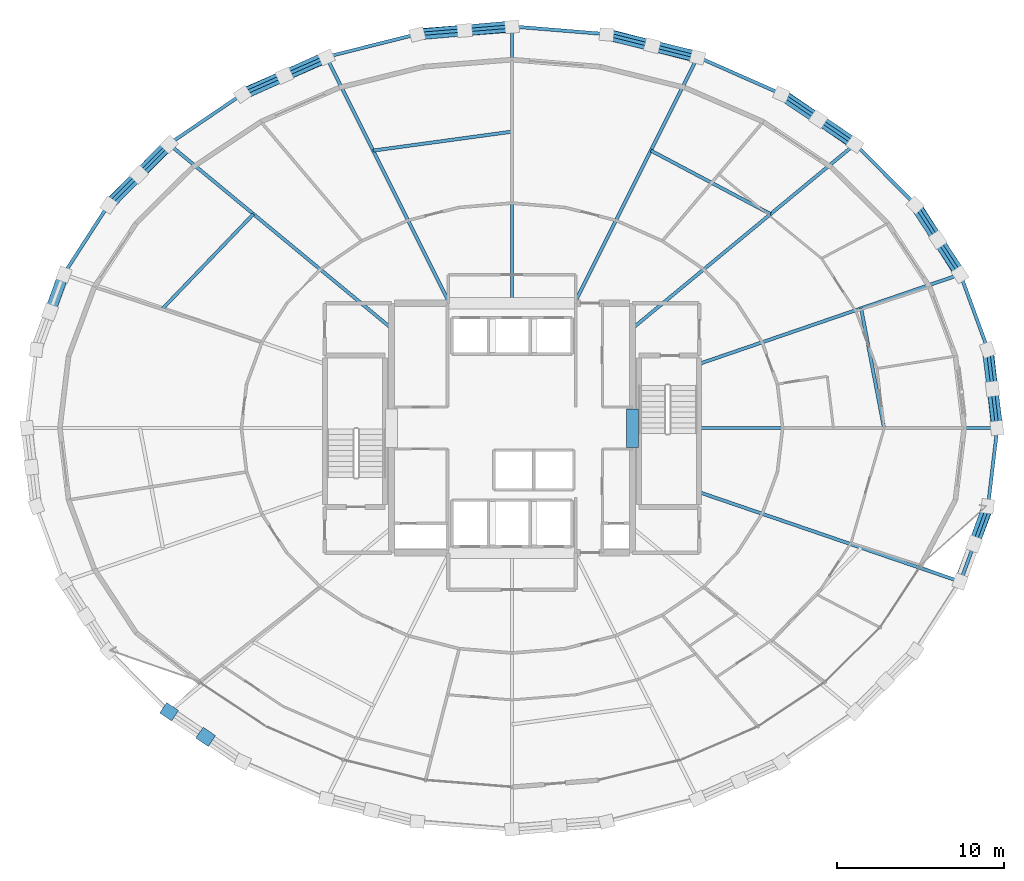
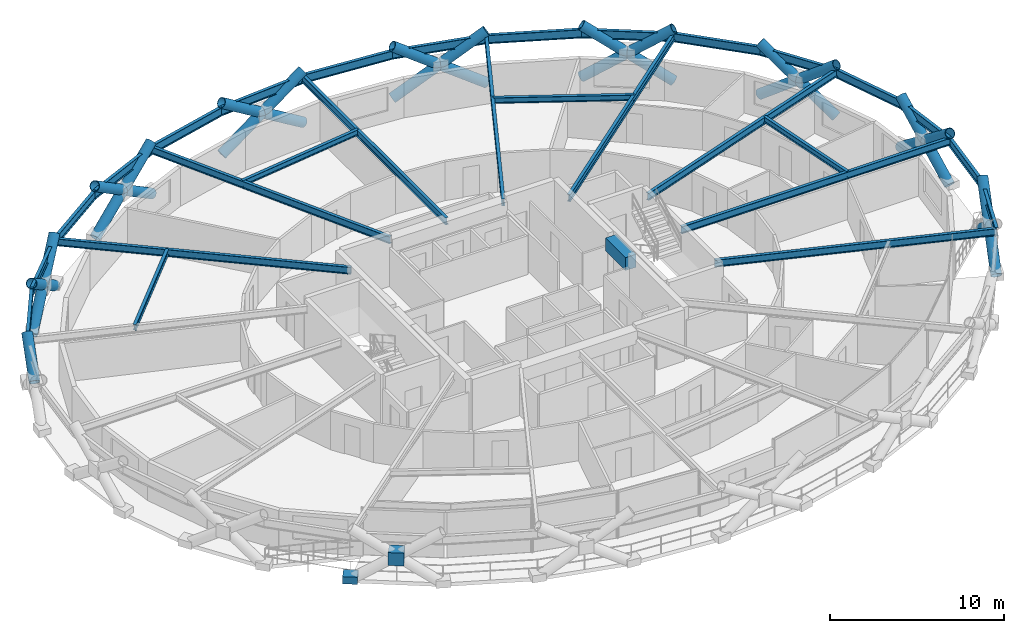
# One storey, part 13 of 21: 29 beams, 24 members, 2 plates.
"""IFC4 building model written with IfcOpenShell, lengths in metres."""

from ifc_helpers import new_model, si_unit, direction, frame, origin, origin_2d, place, context, subcontext, project, spatial, rectangle, hollow_circle, i_section, extrude, material, layer, layer_set, material_profile, profile_set, type_object, element, save


model = new_model("IFC4")

# Units and contexts
model_context = context("Model", 3, precision=1e-05, world=origin(), true_north=direction((0.0, 1.0)))
body_context = subcontext(model_context, "Body", "Model", "MODEL_VIEW")
ifc_project = project(units=[si_unit("LENGTHUNIT", "METRE"), si_unit("AREAUNIT", "SQUARE_METRE"), si_unit("VOLUMEUNIT", "CUBIC_METRE"), si_unit("PLANEANGLEUNIT", "RADIAN"), si_unit("MASSUNIT", "GRAM", prefix="KILO")], contexts=[model_context])

# Site, building, storey
site_placement = place(None, origin())
site = spatial("IfcSite", under=ifc_project, at=site_placement, CompositionType="ELEMENT")
building_placement = place(site_placement, origin())
building = spatial("IfcBuilding", under=site, at=building_placement, Name="Veldorina Hangang Commons", CompositionType="ELEMENT")
storey_placement = place(building_placement, frame((0.0, 0.0, 73.60009765625)))
storey = spatial("IfcBuildingStorey", under=building, at=storey_placement, Name="L18", CompositionType="ELEMENT", Elevation=73.60009765625)

# Beams
ifc_material_1 = material(Name="Concrete C70/85", Category="concrete")
ifc_material_profile_1 = material_profile(ifc_material_1, rectangle(XDim=0.699951171875, YDim=0.89990234375, at=origin_2d()), Name="RC-CB-700x900")
ifc_profile_set_1 = profile_set([ifc_material_profile_1], Name="Concrete C70/85")
beam_type_1 = type_object("IfcBeamType", Name="BM-CB900", PredefinedType="LINTEL", material=ifc_profile_set_1)
beam_1_placement = place(storey_placement, frame((39.199951171875, 22.85009765625, 2.889892578125), z_axis=(0.0, 1.0, 0.0), x_axis=(-1.0, 0.0, 0.0)))
element("IfcBeam", 1, at=beam_1_placement, inside=storey, type_object=beam_type_1, Name="L18 E core coupling lintel beam", PredefinedType="LINTEL", context=body_context, shape_type="SweptSolid", body=[
    extrude(rectangle(XDim=0.699951171875, YDim=0.89990234375, at=origin_2d()), origin(), (0.0, 0.0, 1.0), 2.2998046875),
])
ifc_material_2 = material(Name="Steel SM420-TMC", Category="steel")
ifc_material_profile_2 = material_profile(ifc_material_2, i_section(OverallWidth=0.199951171875, OverallDepth=0.5, WebThickness=0.010009765625, FlangeThickness=0.01611328125, FilletRadius=0.01611328125, at=origin_2d()), Name="H-500x200x10x16")
ifc_profile_set_2 = profile_set([ifc_material_profile_2], Name="Steel SM420-TMC")
beam_type_2 = type_object("IfcBeamType", Name="BM-FG500", PredefinedType="BEAM", material=ifc_profile_set_2)
beam_2_placement = place(storey_placement, frame((43.179931640625, 24.0, 3.08984375), z_axis=(1.0, 0.0, 0.0), x_axis=(0.0, 1.0, 0.0)))
element("IfcBeam", 2, at=beam_2_placement, inside=storey, type_object=beam_type_2, Name="L18 radial floor girder 01", PredefinedType="BEAM", context=body_context, shape_type="SweptSolid", body=[
    extrude(i_section(OverallWidth=0.199951171875, OverallDepth=0.5, WebThickness=0.010009765625, FlangeThickness=0.01611328125, FilletRadius=0.01611328125, at=origin_2d()), origin(), (0.0, 0.0, 1.0), 17.80615234375),
])
beam_3_placement = place(storey_placement, frame((43.179931640625, 27.83203125, 3.08984375), z_axis=(0.945971118528, 0.324250895003, 0.0), x_axis=(-0.324250895003, 0.945971118528, 0.0)))
element("IfcBeam", 3, at=beam_3_placement, inside=storey, type_object=beam_type_2, Name="L18 radial floor girder 02", PredefinedType="BEAM", context=body_context, shape_type="SweptSolid", body=[
    extrude(i_section(OverallWidth=0.199951171875, OverallDepth=0.5, WebThickness=0.010009765625, FlangeThickness=0.01611328125, FilletRadius=0.01611328125, at=origin_2d()), origin(), (0.0, 0.0, 1.0), 16.49072265625),
])
beam_4_placement = place(storey_placement, frame((39.199951171875, 29.9580078125, 3.08984375), z_axis=(0.770429061473, 0.637525733785, 0.0), x_axis=(-0.637525733785, 0.770429061473, 0.0)))
element("IfcBeam", 4, at=beam_4_placement, inside=storey, type_object=beam_type_2, Name="L18 radial floor girder 03", PredefinedType="BEAM", context=body_context, shape_type="SweptSolid", body=[
    extrude(i_section(OverallWidth=0.199951171875, OverallDepth=0.5, WebThickness=0.010009765625, FlangeThickness=0.01611328125, FilletRadius=0.01611328125, at=origin_2d()), origin(), (0.0, 0.0, 1.0), 17.25830078125),
])
beam_5_placement = place(storey_placement, frame((35.72900390625, 31.449951171875, 3.08984375), z_axis=(0.447617223189, 0.894225263289, 0.0), x_axis=(-0.894225263289, 0.447617223189, 0.0)))
element("IfcBeam", 5, at=beam_5_placement, inside=storey, type_object=beam_type_2, Name="L18 radial floor girder 04", PredefinedType="BEAM", context=body_context, shape_type="SweptSolid", body=[
    extrude(i_section(OverallWidth=0.199951171875, OverallDepth=0.5, WebThickness=0.010009765625, FlangeThickness=0.01611328125, FilletRadius=0.01611328125, at=origin_2d()), origin(), (0.0, 0.0, 1.0), 16.450439453125),
])
beam_6_placement = place(storey_placement, frame((32.0, 31.449951171875, 3.08984375), z_axis=(0.0, 1.0, 0.0), x_axis=(-1.0, 0.0, 0.0)))
element("IfcBeam", 6, at=beam_6_placement, inside=storey, type_object=beam_type_2, Name="L18 radial floor girder 05", PredefinedType="BEAM", context=body_context, shape_type="SweptSolid", body=[
    extrude(i_section(OverallWidth=0.199951171875, OverallDepth=0.5, WebThickness=0.010009765625, FlangeThickness=0.01611328125, FilletRadius=0.01611328125, at=origin_2d()), origin(), (0.0, 0.0, 1.0), 16.5361328125),
])
beam_7_placement = place(storey_placement, frame((28.27099609375, 31.449951171875, 3.08984375), z_axis=(-0.447617223189, 0.894225263289, 0.0), x_axis=(-0.894225263289, -0.447617223189, 0.0)))
element("IfcBeam", 7, at=beam_7_placement, inside=storey, type_object=beam_type_2, Name="L18 radial floor girder 06", PredefinedType="BEAM", context=body_context, shape_type="SweptSolid", body=[
    extrude(i_section(OverallWidth=0.199951171875, OverallDepth=0.5, WebThickness=0.010009765625, FlangeThickness=0.01611328125, FilletRadius=0.01611328125, at=origin_2d()), origin(), (0.0, 0.0, 1.0), 16.450439453125),
])
beam_8_placement = place(storey_placement, frame((24.800048828125, 29.9580078125, 3.08984375), z_axis=(-0.770429061473, 0.637525733785, 0.0), x_axis=(-0.637525733785, -0.770429061473, 0.0)))
element("IfcBeam", 8, at=beam_8_placement, inside=storey, type_object=beam_type_2, Name="L18 radial floor girder 07", PredefinedType="BEAM", context=body_context, shape_type="SweptSolid", body=[
    extrude(i_section(OverallWidth=0.199951171875, OverallDepth=0.5, WebThickness=0.010009765625, FlangeThickness=0.01611328125, FilletRadius=0.01611328125, at=origin_2d()), origin(), (0.0, 0.0, 1.0), 17.25830078125),
])
beam_9_placement = place(storey_placement, frame((43.179931640625, 20.16796875, 3.08984375), z_axis=(0.945971118528, -0.324250895003, 0.0), x_axis=(0.324250895003, 0.945971118528, 0.0)))
element("IfcBeam", 9, at=beam_9_placement, inside=storey, type_object=beam_type_2, Name="L18 radial floor girder 16", PredefinedType="BEAM", context=body_context, shape_type="SweptSolid", body=[
    extrude(i_section(OverallWidth=0.199951171875, OverallDepth=0.5, WebThickness=0.010009765625, FlangeThickness=0.01611328125, FilletRadius=0.01611328125, at=origin_2d()), origin(), (0.0, 0.0, 1.0), 16.49072265625),
])
ifc_material_3 = material(Name="Steel SM355-TMC", Category="steel")
ifc_material_profile_3 = material_profile(ifc_material_3, i_section(OverallWidth=0.199951171875, OverallDepth=0.39990234375, WebThickness=0.008056640625, FlangeThickness=0.012939453125, FilletRadius=0.012939453125, at=origin_2d()), Name="H-400x200x8x13")
ifc_profile_set_3 = profile_set([ifc_material_profile_3], Name="Steel SM355-TMC")
beam_type_3 = type_object("IfcBeamType", Name="BM-JST400", PredefinedType="JOIST", material=ifc_profile_set_3)
beam_10_placement = place(storey_placement, frame((54.2197265625, 24.0, 3.139892578125), z_axis=(-0.187980000451, 0.982172856187, 0.0), x_axis=(-0.982172856187, -0.187980000451, 0.0)))
element("IfcBeam", 10, at=beam_10_placement, inside=storey, type_object=beam_type_3, Name="L18 secondary floor joist 01", PredefinedType="JOIST", context=body_context, shape_type="SweptSolid", body=[
    extrude(i_section(OverallWidth=0.199951171875, OverallDepth=0.39990234375, WebThickness=0.008056640625, FlangeThickness=0.012939453125, FilletRadius=0.012939453125, at=origin_2d()), origin(), (0.0, 0.0, 1.0), 7.27685546875),
])
beam_11_placement = place(storey_placement, frame((47.443603515625, 36.77978515625, 3.139892578125), z_axis=(-0.883497860339, 0.468435193785, 0.0), x_axis=(-0.468435193785, -0.883497860339, 0.0)))
element("IfcBeam", 11, at=beam_11_placement, inside=storey, type_object=beam_type_3, Name="L18 secondary floor joist 03", PredefinedType="JOIST", context=body_context, shape_type="SweptSolid", body=[
    extrude(i_section(OverallWidth=0.199951171875, OverallDepth=0.39990234375, WebThickness=0.008056640625, FlangeThickness=0.012939453125, FilletRadius=0.012939453125, at=origin_2d()), origin(), (0.0, 0.0, 1.0), 8.091796875),
])
beam_12_placement = place(storey_placement, frame((32.0, 41.702392578125, 3.139892578125), z_axis=(-0.990813833767, -0.135232935397, 0.0), x_axis=(0.135232935397, -0.990813833767, 0.0)))
element("IfcBeam", 12, at=beam_12_placement, inside=storey, type_object=beam_type_3, Name="L18 secondary floor joist 05", PredefinedType="JOIST", context=body_context, shape_type="SweptSolid", body=[
    extrude(i_section(OverallWidth=0.199951171875, OverallDepth=0.39990234375, WebThickness=0.008056640625, FlangeThickness=0.012939453125, FilletRadius=0.012939453125, at=origin_2d()), origin(), (0.0, 0.0, 1.0), 8.371337890625),
])
beam_13_placement = place(storey_placement, frame((16.556396484375, 36.77978515625, 3.139892578125), z_axis=(-0.692594304612, -0.721327338466, 0.0), x_axis=(0.721327338466, -0.692594304612, 0.0)))
element("IfcBeam", 13, at=beam_13_placement, inside=storey, type_object=beam_type_3, Name="L18 secondary floor joist 07", PredefinedType="JOIST", context=body_context, shape_type="SweptSolid", body=[
    extrude(i_section(OverallWidth=0.199951171875, OverallDepth=0.39990234375, WebThickness=0.008056640625, FlangeThickness=0.012939453125, FilletRadius=0.012939453125, at=origin_2d()), origin(), (0.0, 0.0, 1.0), 7.80859375),
])
ifc_material_profile_4 = material_profile(ifc_material_2, i_section(OverallWidth=0.199951171875, OverallDepth=0.60009765625, WebThickness=0.010986328125, FlangeThickness=0.01708984375, FilletRadius=0.01806640625, at=origin_2d()), Name="H-600x200x11x17")
ifc_profile_set_4 = profile_set([ifc_material_profile_4], Name="Steel SM420-TMC")
beam_type_4 = type_object("IfcBeamType", Name="BM-RB600", PredefinedType="BEAM", material=ifc_profile_set_4)
beam_14_placement = place(storey_placement, frame((60.986083984375, 24.0, 3.039794921875), z_axis=(-0.118172752684, 0.992993051599, 0.0), x_axis=(-0.992993051599, -0.118172752684, 0.0)))
element("IfcBeam", 14, at=beam_14_placement, inside=storey, type_object=beam_type_4, Name="L18 perimeter hoop ring beam 00", PredefinedType="BEAM", context=body_context, shape_type="SweptSolid", body=[
    extrude(i_section(OverallWidth=0.199951171875, OverallDepth=0.60009765625, WebThickness=0.010986328125, FlangeThickness=0.01708984375, FilletRadius=0.01806640625, at=origin_2d()), origin(), (0.0, 0.0, 1.0), 4.71240234375),
])
beam_15_placement = place(storey_placement, frame((60.42919921875, 28.679443359375, 3.039794921875), z_axis=(-0.34416334132, 0.93890979039, 0.0), x_axis=(-0.93890979039, -0.34416334132, 0.0)))
element("IfcBeam", 15, at=beam_15_placement, inside=storey, type_object=beam_type_4, Name="L18 perimeter hoop ring beam 01", PredefinedType="BEAM", context=body_context, shape_type="SweptSolid", body=[
    extrude(i_section(OverallWidth=0.199951171875, OverallDepth=0.60009765625, WebThickness=0.010986328125, FlangeThickness=0.01708984375, FilletRadius=0.01806640625, at=origin_2d()), origin(), (0.0, 0.0, 1.0), 4.79248046875),
])
beam_16_placement = place(storey_placement, frame((58.77978515625, 33.17919921875, 3.039794921875), z_axis=(-0.542555966662, 0.840019656341, 0.0), x_axis=(-0.840019656341, -0.542555966662, 0.0)))
element("IfcBeam", 16, at=beam_16_placement, inside=storey, type_object=beam_type_4, Name="L18 perimeter hoop ring beam 02", PredefinedType="BEAM", context=body_context, shape_type="SweptSolid", body=[
    extrude(i_section(OverallWidth=0.199951171875, OverallDepth=0.60009765625, WebThickness=0.010986328125, FlangeThickness=0.01708984375, FilletRadius=0.01806640625, at=origin_2d()), origin(), (0.0, 0.0, 1.0), 4.936767578125),
])
beam_17_placement = place(storey_placement, frame((56.101318359375, 37.326171875, 3.039794921875), z_axis=(-0.704215546876, 0.709986241795, 0.0), x_axis=(-0.709986241795, -0.704215546876, 0.0)))
element("IfcBeam", 17, at=beam_17_placement, inside=storey, type_object=beam_type_4, Name="L18 perimeter hoop ring beam 03", PredefinedType="BEAM", context=body_context, shape_type="SweptSolid", body=[
    extrude(i_section(OverallWidth=0.199951171875, OverallDepth=0.60009765625, WebThickness=0.010986328125, FlangeThickness=0.01708984375, FilletRadius=0.01806640625, at=origin_2d()), origin(), (0.0, 0.0, 1.0), 5.119140625),
])
beam_18_placement = place(storey_placement, frame((52.496337890625, 40.960693359375, 3.039794921875), z_axis=(-0.827244514098, 0.561842072023, 0.0), x_axis=(-0.561842072023, -0.827244514098, 0.0)))
element("IfcBeam", 18, at=beam_18_placement, inside=storey, type_object=beam_type_4, Name="L18 perimeter hoop ring beam 04", PredefinedType="BEAM", context=body_context, shape_type="SweptSolid", body=[
    extrude(i_section(OverallWidth=0.199951171875, OverallDepth=0.60009765625, WebThickness=0.010986328125, FlangeThickness=0.01708984375, FilletRadius=0.01806640625, at=origin_2d()), origin(), (0.0, 0.0, 1.0), 5.3095703125),
])
beam_19_placement = place(storey_placement, frame((48.10400390625, 43.94384765625, 3.039794921875), z_axis=(-0.91453945814, 0.404496699004, 0.0), x_axis=(-0.404496699004, -0.91453945814, 0.0)))
element("IfcBeam", 19, at=beam_19_placement, inside=storey, type_object=beam_type_4, Name="L18 perimeter hoop ring beam 05", PredefinedType="BEAM", context=body_context, shape_type="SweptSolid", body=[
    extrude(i_section(OverallWidth=0.199951171875, OverallDepth=0.60009765625, WebThickness=0.010986328125, FlangeThickness=0.01708984375, FilletRadius=0.01806640625, at=origin_2d()), origin(), (0.0, 0.0, 1.0), 5.479736328125),
])
beam_20_placement = place(storey_placement, frame((43.092529296875, 46.160400390625, 3.039794921875), z_axis=(-0.969908950764, 0.243467918274, 0.0), x_axis=(-0.243467918274, -0.969908950764, 0.0)))
element("IfcBeam", 20, at=beam_20_placement, inside=storey, type_object=beam_type_4, Name="L18 perimeter hoop ring beam 06", PredefinedType="BEAM", context=body_context, shape_type="SweptSolid", body=[
    extrude(i_section(OverallWidth=0.199951171875, OverallDepth=0.60009765625, WebThickness=0.010986328125, FlangeThickness=0.01708984375, FilletRadius=0.01806640625, at=origin_2d()), origin(), (0.0, 0.0, 1.0), 5.6064453125),
])
for number, where, z_axis, x_axis, name in (
    (21, (37.65478515625, 47.525390625, 3.039794921875), (-0.996697777509, 0.081200617657, 0.0), (-0.081200617657, -0.996697777509, 0.0), "L18 perimeter hoop ring beam 07"),
    (22, (32.0, 47.986083984375, 3.039794921875), (-0.996697777509, -0.081200617657, 0.0), (0.081200617657, -0.996697777509, 0.0), "L18 perimeter hoop ring beam 08"),
):
    element("IfcBeam", number, at=place(storey_placement, frame(where, z_axis=z_axis, x_axis=x_axis)), inside=storey, type_object=beam_type_4, Name=name, PredefinedType="BEAM", context=body_context, shape_type="SweptSolid", body=[
        extrude(i_section(OverallWidth=0.199951171875, OverallDepth=0.60009765625, WebThickness=0.010986328125, FlangeThickness=0.01708984375, FilletRadius=0.01806640625, at=origin_2d()), origin(), (0.0, 0.0, 1.0), 5.673583984375),
    ])
beam_21_placement = place(storey_placement, frame((26.34521484375, 47.525390625, 3.039794921875), z_axis=(-0.969908950764, -0.243467918274, 0.0), x_axis=(0.243467918274, -0.969908950764, 0.0)))
element("IfcBeam", 23, at=beam_21_placement, inside=storey, type_object=beam_type_4, Name="L18 perimeter hoop ring beam 09", PredefinedType="BEAM", context=body_context, shape_type="SweptSolid", body=[
    extrude(i_section(OverallWidth=0.199951171875, OverallDepth=0.60009765625, WebThickness=0.010986328125, FlangeThickness=0.01708984375, FilletRadius=0.01806640625, at=origin_2d()), origin(), (0.0, 0.0, 1.0), 5.6064453125),
])
beam_22_placement = place(storey_placement, frame((20.907470703125, 46.160400390625, 3.039794921875), z_axis=(-0.91453945814, -0.404496699004, 0.0), x_axis=(0.404496699004, -0.91453945814, 0.0)))
element("IfcBeam", 24, at=beam_22_placement, inside=storey, type_object=beam_type_4, Name="L18 perimeter hoop ring beam 10", PredefinedType="BEAM", context=body_context, shape_type="SweptSolid", body=[
    extrude(i_section(OverallWidth=0.199951171875, OverallDepth=0.60009765625, WebThickness=0.010986328125, FlangeThickness=0.01708984375, FilletRadius=0.01806640625, at=origin_2d()), origin(), (0.0, 0.0, 1.0), 5.479736328125),
])
beam_23_placement = place(storey_placement, frame((15.89599609375, 43.94384765625, 3.039794921875), z_axis=(-0.827244514098, -0.561842072023, 0.0), x_axis=(0.561842072023, -0.827244514098, 0.0)))
element("IfcBeam", 25, at=beam_23_placement, inside=storey, type_object=beam_type_4, Name="L18 perimeter hoop ring beam 11", PredefinedType="BEAM", context=body_context, shape_type="SweptSolid", body=[
    extrude(i_section(OverallWidth=0.199951171875, OverallDepth=0.60009765625, WebThickness=0.010986328125, FlangeThickness=0.01708984375, FilletRadius=0.01806640625, at=origin_2d()), origin(), (0.0, 0.0, 1.0), 5.3095703125),
])
beam_24_placement = place(storey_placement, frame((11.503662109375, 40.960693359375, 3.039794921875), z_axis=(-0.704215546876, -0.709986241795, 0.0), x_axis=(0.709986241795, -0.704215546876, 0.0)))
element("IfcBeam", 26, at=beam_24_placement, inside=storey, type_object=beam_type_4, Name="L18 perimeter hoop ring beam 12", PredefinedType="BEAM", context=body_context, shape_type="SweptSolid", body=[
    extrude(i_section(OverallWidth=0.199951171875, OverallDepth=0.60009765625, WebThickness=0.010986328125, FlangeThickness=0.01708984375, FilletRadius=0.01806640625, at=origin_2d()), origin(), (0.0, 0.0, 1.0), 5.119140625),
])
beam_25_placement = place(storey_placement, frame((7.898681640625, 37.326171875, 3.039794921875), z_axis=(-0.542555966662, -0.840019656341, 0.0), x_axis=(0.840019656341, -0.542555966662, 0.0)))
element("IfcBeam", 27, at=beam_25_placement, inside=storey, type_object=beam_type_4, Name="L18 perimeter hoop ring beam 13", PredefinedType="BEAM", context=body_context, shape_type="SweptSolid", body=[
    extrude(i_section(OverallWidth=0.199951171875, OverallDepth=0.60009765625, WebThickness=0.010986328125, FlangeThickness=0.01708984375, FilletRadius=0.01806640625, at=origin_2d()), origin(), (0.0, 0.0, 1.0), 4.936767578125),
])
beam_26_placement = place(storey_placement, frame((58.77978515625, 14.82080078125, 3.039794921875), z_axis=(0.34416334132, 0.93890979039, 0.0), x_axis=(-0.93890979039, 0.34416334132, 0.0)))
element("IfcBeam", 28, at=beam_26_placement, inside=storey, type_object=beam_type_4, Name="L18 perimeter hoop ring beam 30", PredefinedType="BEAM", context=body_context, shape_type="SweptSolid", body=[
    extrude(i_section(OverallWidth=0.199951171875, OverallDepth=0.60009765625, WebThickness=0.010986328125, FlangeThickness=0.01708984375, FilletRadius=0.01806640625, at=origin_2d()), origin(), (0.0, 0.0, 1.0), 4.79248046875),
])
beam_27_placement = place(storey_placement, frame((60.42919921875, 19.320556640625, 3.039794921875), z_axis=(0.118172752684, 0.992993051599, 0.0), x_axis=(-0.992993051599, 0.118172752684, 0.0)))
element("IfcBeam", 29, at=beam_27_placement, inside=storey, type_object=beam_type_4, Name="L18 perimeter hoop ring beam 31", PredefinedType="BEAM", context=body_context, shape_type="SweptSolid", body=[
    extrude(i_section(OverallWidth=0.199951171875, OverallDepth=0.60009765625, WebThickness=0.010986328125, FlangeThickness=0.01708984375, FilletRadius=0.01806640625, at=origin_2d()), origin(), (0.0, 0.0, 1.0), 4.71240234375),
])

# Members
ifc_material_4 = material(Name="Steel SM460-TMC", Category="steel")
ifc_material_profile_5 = material_profile(ifc_material_4, hollow_circle(Radius=0.324951171875, WallThickness=0.031982421875, at=origin_2d()), Name="CHS-650x32")
ifc_profile_set_5 = profile_set([ifc_material_profile_5], Name="Steel SM460-TMC")
member_type = type_object("IfcMemberType", Name="DG-CHS650", PredefinedType="BRACE", material=ifc_profile_set_5)
member_1_placement = place(storey_placement, frame((60.96240234375, 24.0, 0.0), z_axis=(-0.089200493831, 0.789502616448, 0.607230508556), x_axis=(-0.993677867176, -0.112268857144, 0.0)))
element("IfcMember", 30, at=member_1_placement, inside=storey, type_object=member_type, Name="L18 continuous perimeter diagrid brace 00", PredefinedType="BRACE", context=body_context, shape_type="SweptSolid", body=[
    extrude(hollow_circle(Radius=0.324951171875, WallThickness=0.031982421875, at=origin_2d()), origin(), (0.0, 0.0, 1.0), 5.92822265625),
])
member_2_placement = place(storey_placement, frame((60.406005859375, 28.6748046875, 0.0), z_axis=(0.098637405735, -0.788440015101, 0.60715155009), x_axis=(0.992265107566, 0.124136845083, 0.0)))
element("IfcMember", 31, at=member_2_placement, inside=storey, type_object=member_type, Name="L18 split perimeter diagrid lower brace 01", PredefinedType="BRACE", context=body_context, shape_type="SweptSolid", body=[
    extrude(hollow_circle(Radius=0.324951171875, WallThickness=0.031982421875, at=origin_2d()), origin(), (0.0, 0.0, 1.0), 2.962646484375),
])
member_3_placement = place(storey_placement, frame((60.6982421875, 26.3388671875, 1.798828125), z_axis=(0.098516236867, -0.788459105418, 0.60714643222), x_axis=(0.992284249479, 0.123983741819, 0.0)))
element("IfcMember", 32, at=member_3_placement, inside=storey, type_object=member_type, Name="L18 split perimeter diagrid upper brace 01", PredefinedType="BRACE", context=body_context, shape_type="SweptSolid", body=[
    extrude(hollow_circle(Radius=0.324951171875, WallThickness=0.031982421875, at=origin_2d()), origin(), (0.0, 0.0, 1.0), 2.96630859375),
])
member_4_placement = place(storey_placement, frame((58.7578125, 33.169921875, 0.0), z_axis=(-0.434449326939, 0.680998420454, 0.5894870089), x_axis=(-0.843051606963, -0.53783267658, 0.0)))
element("IfcMember", 33, at=member_4_placement, inside=storey, type_object=member_type, Name="L18 continuous perimeter diagrid brace 02", PredefinedType="BRACE", context=body_context, shape_type="SweptSolid", body=[
    extrude(hollow_circle(Radius=0.324951171875, WallThickness=0.031982421875, at=origin_2d()), origin(), (0.0, 0.0, 1.0), 6.106689453125),
])
member_5_placement = place(storey_placement, frame((56.081298828125, 37.312744140625, 0.0), z_axis=(0.442331749181, -0.676211063418, 0.589135995656), x_axis=(0.8368597728, 0.547417318568, 0.0)))
element("IfcMember", 34, at=member_5_placement, inside=storey, type_object=member_type, Name="L18 split perimeter diagrid lower brace 03", PredefinedType="BRACE", context=body_context, shape_type="SweptSolid", body=[
    extrude(hollow_circle(Radius=0.324951171875, WallThickness=0.031982421875, at=origin_2d()), origin(), (0.0, 0.0, 1.0), 3.05322265625),
])
member_6_placement = place(storey_placement, frame((57.431884765625, 35.248046875, 1.798828125), z_axis=(0.442226742182, -0.676238726035, 0.589183073339), x_axis=(0.836929561154, 0.547310615343, 0.0)))
element("IfcMember", 35, at=member_6_placement, inside=storey, type_object=member_type, Name="L18 split perimeter diagrid upper brace 03", PredefinedType="BRACE", context=body_context, shape_type="SweptSolid", body=[
    extrude(hollow_circle(Radius=0.324951171875, WallThickness=0.031982421875, at=origin_2d()), origin(), (0.0, 0.0, 1.0), 3.056884765625),
])
member_7_placement = place(storey_placement, frame((52.4794921875, 40.944091796875, 0.0), z_axis=(-0.682119266915, 0.468454821727, 0.561483201622), x_axis=(-0.566116662781, -0.824325132531, 0.0)))
element("IfcMember", 36, at=member_7_placement, inside=storey, type_object=member_type, Name="L18 continuous perimeter diagrid brace 04", PredefinedType="BRACE", context=body_context, shape_type="SweptSolid", body=[
    extrude(hollow_circle(Radius=0.324951171875, WallThickness=0.031982421875, at=origin_2d()), origin(), (0.0, 0.0, 1.0), 6.411376953125),
])
member_8_placement = place(storey_placement, frame((48.090576171875, 43.924072265625, 0.0), z_axis=(0.687247081126, -0.461312223542, 0.5611439048), x_axis=(0.557330006813, 0.830291071556, 0.0)))
element("IfcMember", 37, at=member_8_placement, inside=storey, type_object=member_type, Name="L18 split perimeter diagrid lower brace 05", PredefinedType="BRACE", context=body_context, shape_type="SweptSolid", body=[
    extrude(hollow_circle(Radius=0.324951171875, WallThickness=0.031982421875, at=origin_2d()), origin(), (0.0, 0.0, 1.0), 3.2060546875),
])
member_9_placement = place(storey_placement, frame((50.2939453125, 42.445068359375, 1.799072265625), z_axis=(0.687185938457, -0.461496246249, 0.561067465359), x_axis=(0.557517430782, 0.830165233176, 0.0)))
element("IfcMember", 38, at=member_9_placement, inside=storey, type_object=member_type, Name="L18 split perimeter diagrid upper brace 05", PredefinedType="BRACE", context=body_context, shape_type="SweptSolid", body=[
    extrude(hollow_circle(Radius=0.324951171875, WallThickness=0.031982421875, at=origin_2d()), origin(), (0.0, 0.0, 1.0), 3.20947265625),
])
member_10_placement = place(storey_placement, frame((43.08349609375, 46.138427734375, 0.0), z_axis=(-0.814985770488, 0.208878594829, 0.540525602098), x_axis=(-0.248272614908, -0.968690202638, 0.0)))
element("IfcMember", 39, at=member_10_placement, inside=storey, type_object=member_type, Name="L18 continuous perimeter diagrid brace 06", PredefinedType="BRACE", context=body_context, shape_type="SweptSolid", body=[
    extrude(hollow_circle(Radius=0.324951171875, WallThickness=0.031982421875, at=origin_2d()), origin(), (0.0, 0.0, 1.0), 6.659912109375),
])
member_11_placement = place(storey_placement, frame((37.650390625, 47.501953125, 0.0), z_axis=(0.817132755302, -0.200708278853, 0.540379724834), x_axis=(0.23853482922, 0.971133943001, 0.0)))
element("IfcMember", 40, at=member_11_placement, inside=storey, type_object=member_type, Name="L18 split perimeter diagrid lower brace 07", PredefinedType="BRACE", context=body_context, shape_type="SweptSolid", body=[
    extrude(hollow_circle(Radius=0.324951171875, WallThickness=0.031982421875, at=origin_2d()), origin(), (0.0, 0.0, 1.0), 3.329345703125),
])
member_12_placement = place(storey_placement, frame((40.370849609375, 46.833740234375, 1.799072265625), z_axis=(0.817138353036, -0.20086000574, 0.540314880502), x_axis=(0.238703338211, 0.971092537469, 0.0)))
element("IfcMember", 41, at=member_12_placement, inside=storey, type_object=member_type, Name="L18 split perimeter diagrid upper brace 07", PredefinedType="BRACE", context=body_context, shape_type="SweptSolid", body=[
    extrude(hollow_circle(Radius=0.324951171875, WallThickness=0.031982421875, at=origin_2d()), origin(), (0.0, 0.0, 1.0), 3.332763671875),
])
member_13_placement = place(storey_placement, frame((32.0, 47.96240234375, 0.0), z_axis=(-0.841859096316, -0.064431329438, 0.5358375367), x_axis=(0.076311404263, -0.997084033359, 0.0)))
element("IfcMember", 42, at=member_13_placement, inside=storey, type_object=member_type, Name="L18 continuous perimeter diagrid brace 08", PredefinedType="BRACE", context=body_context, shape_type="SweptSolid", body=[
    extrude(hollow_circle(Radius=0.324951171875, WallThickness=0.031982421875, at=origin_2d()), origin(), (0.0, 0.0, 1.0), 6.71826171875),
])
member_14_placement = place(storey_placement, frame((26.349609375, 47.501953125, 0.0), z_axis=(0.841158174319, 0.072720513039, 0.535877460582), x_axis=(-0.086131561501, 0.996283771881, 0.0)))
element("IfcMember", 43, at=member_14_placement, inside=storey, type_object=member_type, Name="L18 split perimeter diagrid lower brace 09", PredefinedType="BRACE", context=body_context, shape_type="SweptSolid", body=[
    extrude(hollow_circle(Radius=0.324951171875, WallThickness=0.031982421875, at=origin_2d()), origin(), (0.0, 0.0, 1.0), 3.357177734375),
])
member_15_placement = place(storey_placement, frame((29.173583984375, 47.74609375, 1.799072265625), z_axis=(0.841136962212, 0.072728521998, 0.535909668591), x_axis=(-0.086143133296, 0.996282771399, 0.0)))
element("IfcMember", 44, at=member_15_placement, inside=storey, type_object=member_type, Name="L18 split perimeter diagrid upper brace 09", PredefinedType="BRACE", context=body_context, shape_type="SweptSolid", body=[
    extrude(hollow_circle(Radius=0.324951171875, WallThickness=0.031982421875, at=origin_2d()), origin(), (0.0, 0.0, 1.0), 3.3603515625),
])
member_16_placement = place(storey_placement, frame((20.91650390625, 46.138427734375, 0.0), z_axis=(-0.766074422379, -0.334163800439, 0.549057860204), x_axis=(0.399820604061, -0.916593412898, 0.0)))
element("IfcMember", 45, at=member_16_placement, inside=storey, type_object=member_type, Name="L18 continuous perimeter diagrid brace 10", PredefinedType="BRACE", context=body_context, shape_type="SweptSolid", body=[
    extrude(hollow_circle(Radius=0.324951171875, WallThickness=0.031982421875, at=origin_2d()), origin(), (0.0, 0.0, 1.0), 6.556396484375),
])
member_17_placement = place(storey_placement, frame((15.909423828125, 43.924072265625, 0.0), z_axis=(0.762484890246, 0.341806142137, 0.549349937057), x_axis=(-0.409058465758, 0.912508176178, 0.0)))
element("IfcMember", 46, at=member_17_placement, inside=storey, type_object=member_type, Name="L18 split perimeter diagrid lower brace 11", PredefinedType="BRACE", context=body_context, shape_type="SweptSolid", body=[
    extrude(hollow_circle(Radius=0.324951171875, WallThickness=0.031982421875, at=origin_2d()), origin(), (0.0, 0.0, 1.0), 3.27490234375),
])
member_18_placement = place(storey_placement, frame((18.406494140625, 45.04345703125, 1.799072265625), z_axis=(0.762430642787, 0.341928209538, 0.54934926455), x_axis=(-0.409204334102, 0.912442772426, 0.0)))
element("IfcMember", 47, at=member_18_placement, inside=storey, type_object=member_type, Name="L18 split perimeter diagrid upper brace 11", PredefinedType="BRACE", context=body_context, shape_type="SweptSolid", body=[
    extrude(hollow_circle(Radius=0.324951171875, WallThickness=0.031982421875, at=origin_2d()), origin(), (0.0, 0.0, 1.0), 3.278076171875),
])
member_19_placement = place(storey_placement, frame((11.5205078125, 40.944091796875, 0.0), z_axis=(-0.579220204613, -0.57765991044, 0.575163439762), x_axis=(0.706152457931, -0.708059818206, 0.0)))
element("IfcMember", 48, at=member_19_placement, inside=storey, type_object=member_type, Name="L18 continuous perimeter diagrid brace 12", PredefinedType="BRACE", context=body_context, shape_type="SweptSolid", body=[
    extrude(hollow_circle(Radius=0.324951171875, WallThickness=0.031982421875, at=origin_2d()), origin(), (0.0, 0.0, 1.0), 6.2587890625),
])
member_20_placement = place(storey_placement, frame((7.918701171875, 37.312744140625, 0.0), z_axis=(0.572722709753, 0.583736608017, 0.575534768884), x_axis=(-0.713808759938, 0.700340670128, 0.0)))
element("IfcMember", 49, at=member_20_placement, inside=storey, type_object=member_type, Name="L18 split perimeter diagrid lower brace 13", PredefinedType="BRACE", context=body_context, shape_type="SweptSolid", body=[
    extrude(hollow_circle(Radius=0.324951171875, WallThickness=0.031982421875, at=origin_2d()), origin(), (0.0, 0.0, 1.0), 3.12548828125),
])
member_21_placement = place(storey_placement, frame((9.708740234375, 39.13720703125, 1.798828125), z_axis=(0.572623493314, 0.583781029701, 0.575588433054), x_axis=(-0.713896052406, 0.700251687866, 0.0)))
element("IfcMember", 50, at=member_21_placement, inside=storey, type_object=member_type, Name="L18 split perimeter diagrid upper brace 13", PredefinedType="BRACE", context=body_context, shape_type="SweptSolid", body=[
    extrude(hollow_circle(Radius=0.324951171875, WallThickness=0.031982421875, at=origin_2d()), origin(), (0.0, 0.0, 1.0), 3.12890625),
])
member_22_placement = place(storey_placement, frame((4.40478515625, 30.926513671875, 1.798828125), z_axis=(0.270740185494, 0.752110370893, 0.600857505532), x_axis=(-0.940895205262, 0.338697819178, 0.0)))
element("IfcMember", 51, at=member_22_placement, inside=storey, type_object=member_type, Name="L18 split perimeter diagrid upper brace 15", PredefinedType="BRACE", context=body_context, shape_type="SweptSolid", body=[
    extrude(hollow_circle(Radius=0.324951171875, WallThickness=0.031982421875, at=origin_2d()), origin(), (0.0, 0.0, 1.0), 2.997314453125),
])
member_23_placement = place(storey_placement, frame((58.7578125, 14.830078125, 0.0), z_axis=(0.279596763873, 0.74905374284, 0.600619796518), x_axis=(-0.936861990441, 0.349699314937, 0.0)))
element("IfcMember", 52, at=member_23_placement, inside=storey, type_object=member_type, Name="L18 continuous perimeter diagrid brace 30", PredefinedType="BRACE", context=body_context, shape_type="SweptSolid", body=[
    extrude(hollow_circle(Radius=0.324951171875, WallThickness=0.031982421875, at=origin_2d()), origin(), (0.0, 0.0, 1.0), 5.99365234375),
])
member_24_placement = place(storey_placement, frame((60.406005859375, 19.3251953125, 0.0), z_axis=(-0.270815523603, -0.752102250585, 0.600833718129), x_axis=(0.940864001587, -0.338784489783, 0.0)))
element("IfcMember", 53, at=member_24_placement, inside=storey, type_object=member_type, Name="L18 split perimeter diagrid lower brace 31", PredefinedType="BRACE", context=body_context, shape_type="SweptSolid", body=[
    extrude(hollow_circle(Radius=0.324951171875, WallThickness=0.031982421875, at=origin_2d()), origin(), (0.0, 0.0, 1.0), 2.993896484375),
])

# Plates
ifc_layer = layer(ifc_material_4, 0.035888671875)
ifc_layer_set = layer_set([ifc_layer], Name="Steel SM460-TMC")
plate_type = type_object("IfcPlateType", Name="PL-STAR-36", PredefinedType="USERDEFINED", material=ifc_layer_set)
plate_1_placement = place(storey_placement, frame((11.5205078125, 7.055908203125, -0.090087890625), z_axis=(0.0, 0.0, 1.0), x_axis=(0.827315946643, -0.56173688185, 0.0)))
element("IfcPlate", 54, at=plate_1_placement, inside=storey, type_object=plate_type, Name="L18 diagrid star-node gusset plate 20", ObjectType="GUSSET PLATE", PredefinedType="USERDEFINED", context=body_context, shape_type="SweptSolid", body=[
    extrude(rectangle(XDim=0.85009765625, YDim=0.75, at=origin_2d()), origin(), (0.0, 0.0, 1.0), 0.5),
])
plate_2_placement = place(storey_placement, frame((13.7060546875, 5.554931640625, 1.34912109375), z_axis=(0.0, 0.0, 1.0), x_axis=(0.827315946643, -0.56173688185, 0.0)))
element("IfcPlate", 55, at=plate_2_placement, inside=storey, type_object=plate_type, Name="L18 diagrid X-crossing star-node gusset plate 20", ObjectType="GUSSET PLATE", PredefinedType="USERDEFINED", context=body_context, shape_type="SweptSolid", body=[
    extrude(rectangle(XDim=0.89990234375, YDim=0.780029296875, at=origin_2d()), origin(), (0.0, 0.0, 1.0), 0.89990234375),
])

save(model, "model.ifc")
